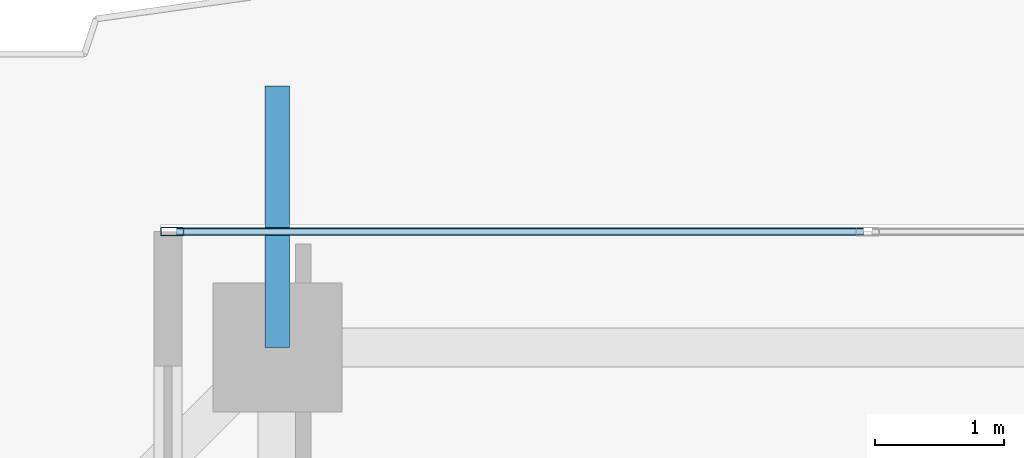
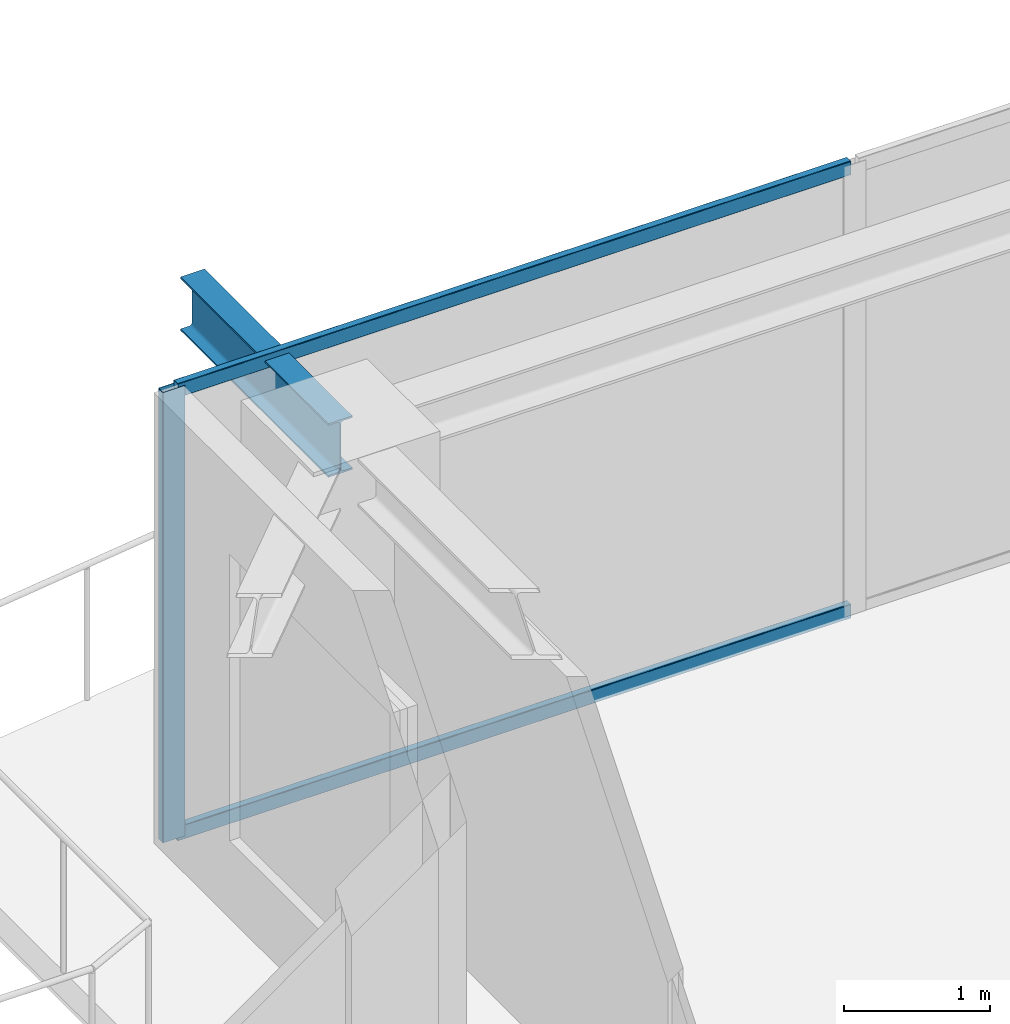
# One storey, part 18 of 37: 3 members, 1 beam, 1 element without a shape of its own.
"""IFC4 building model written with IfcOpenShell, lengths in metres."""

from ifc_helpers import new_model, si_unit, direction, frame, origin, origin_2d, place, context, subcontext, project, spatial, hollow_rectangle, i_section, extrude, source, transform, mapped, material, layer, layer_set, material_profile, profile_set, type_object, element, aggregate, save


model = new_model("IFC4")

# Units and contexts
model_context = context("Model", 3, precision=1e-05, world=origin(), true_north=direction((0.0, 1.0)))
body_context = subcontext(model_context, "Body", "Model", "MODEL_VIEW")
ifc_project = project(units=[si_unit("LENGTHUNIT", "METRE"), si_unit("AREAUNIT", "SQUARE_METRE"), si_unit("VOLUMEUNIT", "CUBIC_METRE"), si_unit("PLANEANGLEUNIT", "RADIAN"), si_unit("MASSUNIT", "GRAM", prefix="KILO")], contexts=[model_context])

# Site, building, storey
site_placement = place(None, origin())
site = spatial("IfcSite", under=ifc_project, at=site_placement, CompositionType="ELEMENT")
building_placement = place(site_placement, origin())
building = spatial("IfcBuilding", under=site, at=building_placement, Name="Serunith Strait Residences", CompositionType="ELEMENT")
storey_placement = place(building_placement, frame((0.0, 0.0, 317.75)))
storey = spatial("IfcBuildingStorey", under=building, at=storey_placement, Name="L79", CompositionType="ELEMENT", Elevation=317.75)

# Beam
ifc_material_1 = material(Name="Steel S355J2", Category="steel")
ifc_material_profile_1 = material_profile(ifc_material_1, i_section(OverallWidth=0.18994140625, OverallDepth=0.449951171875, WebThickness=0.009521484375, FlangeThickness=0.0146484375, FilletRadius=0.02099609375, at=origin_2d()), Name="IPE 450")
ifc_profile_set_1 = profile_set([ifc_material_profile_1], Name="Steel S355J2")
beam_type = type_object("IfcBeamType", Name="BM-IPE450", PredefinedType="JOIST", material=ifc_profile_set_1)
shared_shape_1 = source(origin(), body_context, "Body", "SweptSolid", [
    extrude(i_section(OverallWidth=0.18994140625, OverallDepth=0.449951171875, WebThickness=0.009521484375, FlangeThickness=0.0146484375, FilletRadius=0.02099609375, at=origin_2d()), origin(), (0.0, 0.0, 1.0), 2.02978515625),
])
beam_placement = place(storey_placement, frame((17.64990234375, 47.10009765625, 3.531982421875), z_axis=(0.0, 1.0, 0.0), x_axis=(-1.0, 0.0, 0.0)))
element("IfcBeam", 1, at=beam_placement, inside=storey, type_object=beam_type, Name="L80 Cantilevered Balcony Rib TC-N1", PredefinedType="JOIST", context=body_context, shape_type="MappedRepresentation", body=[
    mapped(shared_shape_1, transform((0.0, 0.0, 0.0), scale=1.0)),
])

# Curtain wall, members
ifc_material_2 = material(Name="Brushed Stainless-Silver Aluminium", Category="aluminium")
ifc_layer = layer(ifc_material_2, 0.199951171875, Name="Brushed Stainless-Silver Aluminium")
ifc_layer_set = layer_set([ifc_layer], Name="Brushed Stainless-Silver Aluminium")
curtain_wall_type = type_object("IfcCurtainWallType", Name="CW-SYS5", PredefinedType="NOTDEFINED", material=ifc_layer_set)
curtain_wall_placement = place(storey_placement, origin())
curtain_wall = element("IfcCurtainWall", 2, at=curtain_wall_placement, inside=storey, type_object=curtain_wall_type, Name="L79 N Unitised Fritted Curtain Wall", PredefinedType="NOTDEFINED")
ifc_material_profile_2 = material_profile(ifc_material_2, hollow_rectangle(XDim=0.06494140625, YDim=0.179931640625, WallThickness=0.00341796875, InnerFilletRadius=0.00537109375, OuterFilletRadius=0.0087890625, at=origin_2d()), Name="ALU 180x65x3.5")
ifc_profile_set_2 = profile_set([ifc_material_profile_2], Name="Brushed Stainless-Silver Aluminium")
member_type_1 = type_object("IfcMemberType", Name="CW-SYS5-MULL", PredefinedType="MULLION", material=ifc_profile_set_2)
shared_shape_2 = source(origin(), body_context, "Body", "SweptSolid", [
    extrude(hollow_rectangle(XDim=0.06494140625, YDim=0.179931640625, WallThickness=0.00341796875, InnerFilletRadius=0.00537109375, OuterFilletRadius=0.0087890625, at=origin_2d()), origin(), (0.0, 0.0, 1.0), 3.77490234375),
])
member_1_placement = place(storey_placement, frame((16.83251953125, 48.0, 0.0), z_axis=(0.0, 0.0, 1.0), x_axis=(0.0, -1.0, 0.0)))
member_1 = element("IfcMember", 3, at=member_1_placement, type_object=member_type_1, Name="CW-5 mullion 4", PredefinedType="MULLION", context=body_context, shape_type="MappedRepresentation", body=[
    mapped(shared_shape_2, transform((0.0, 0.0, 0.0), scale=1.0)),
])
ifc_material_profile_3 = material_profile(ifc_material_2, hollow_rectangle(XDim=0.06005859375, YDim=0.1201171875, WallThickness=0.00341796875, InnerFilletRadius=0.00537109375, OuterFilletRadius=0.0087890625, at=origin_2d()), Name="ALU 120x60x3.5")
ifc_profile_set_3 = profile_set([ifc_material_profile_3], Name="Brushed Stainless-Silver Aluminium")
member_type_2 = type_object("IfcMemberType", Name="CW-SYS5-TRAN", PredefinedType="USERDEFINED", material=ifc_profile_set_3)
shared_shape_3 = source(origin(), body_context, "Body", "SweptSolid", [
    extrude(hollow_rectangle(XDim=0.06005859375, YDim=0.1201171875, WallThickness=0.00341796875, InnerFilletRadius=0.00537109375, OuterFilletRadius=0.0087890625, at=origin_2d()), origin(), (0.0, 0.0, 1.0), 5.3359375),
])
member_2_placement = place(storey_placement, frame((22.200927734375, 48.0, 0.030029296875), z_axis=(-1.0, 0.0, 0.0), x_axis=(0.0, -1.0, 0.0)))
member_2 = element("IfcMember", 4, at=member_2_placement, type_object=member_type_2, Name="CW-5 transom 3.1", ObjectType="TRANSOM", PredefinedType="USERDEFINED", context=body_context, shape_type="MappedRepresentation", body=[
    mapped(shared_shape_3, transform((0.0, 0.0, 0.0), scale=1.0)),
])
member_3_placement = place(storey_placement, frame((22.200927734375, 48.0, 3.7451171875), z_axis=(-1.0, 0.0, 0.0), x_axis=(0.0, -1.0, 0.0)))
member_3 = element("IfcMember", 5, at=member_3_placement, type_object=member_type_2, Name="CW-5 transom 3.2", ObjectType="TRANSOM", PredefinedType="USERDEFINED", context=body_context, shape_type="MappedRepresentation", body=[
    mapped(shared_shape_3, transform((0.0, 0.0, 0.0), scale=1.0)),
])
aggregate(curtain_wall, [member_1, member_2, member_3])

save(model, "model.ifc")
